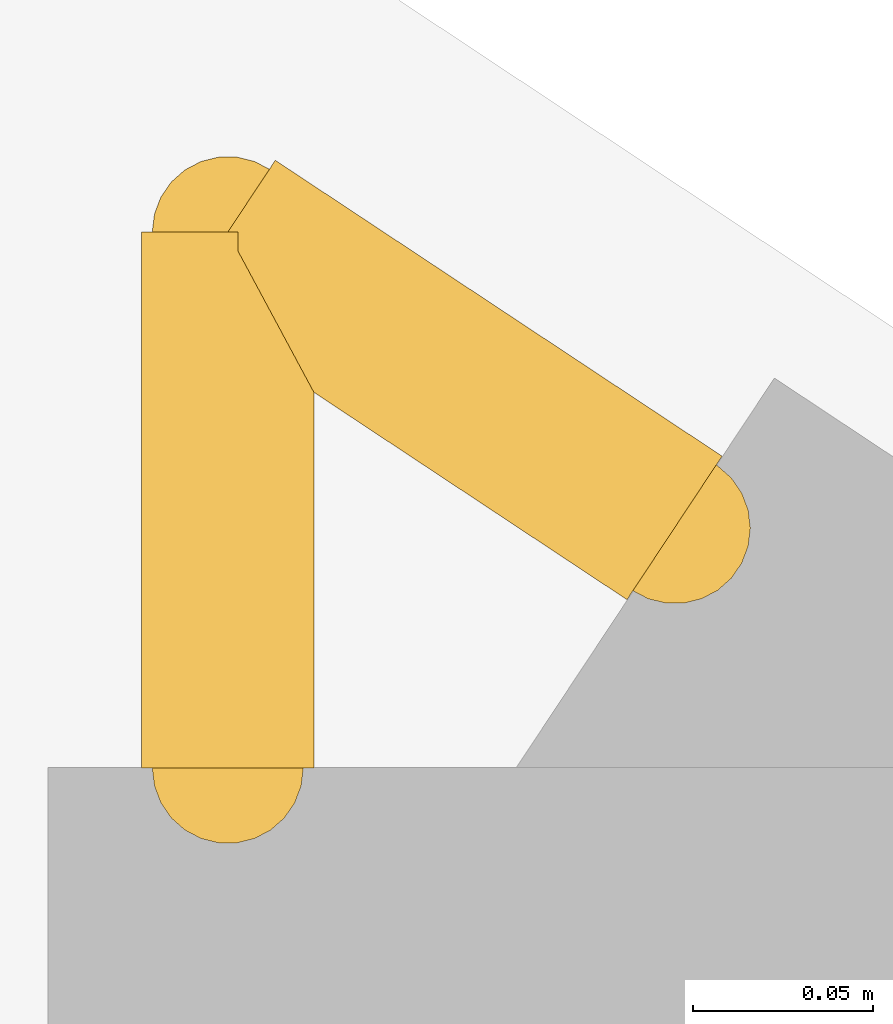
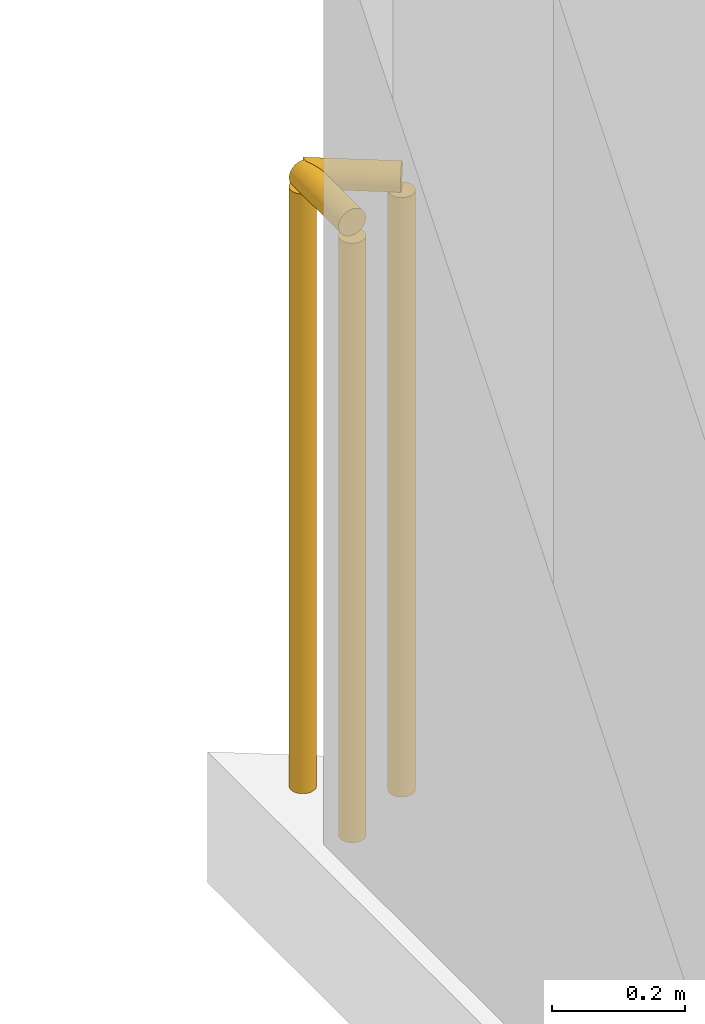
# One storey, part 17 of 18: 2 railings.
"""IFC4 building model written with IfcOpenShell, lengths in metres."""

from ifc_helpers import new_model, si_unit, direction, frame, origin, origin_2d, place, context, subcontext, project, spatial, circle, extrude, material, type_object, element, save


model = new_model("IFC4")

# Units and contexts
model_context = context("Model", 3, precision=1e-05, world=origin(), true_north=direction((0.0, 1.0)))
body_context = subcontext(model_context, "Body", "Model", "MODEL_VIEW")
ifc_project = project(units=[si_unit("LENGTHUNIT", "METRE"), si_unit("AREAUNIT", "SQUARE_METRE"), si_unit("VOLUMEUNIT", "CUBIC_METRE"), si_unit("PLANEANGLEUNIT", "RADIAN"), si_unit("MASSUNIT", "GRAM", prefix="KILO")], contexts=[model_context])

# Site, building, storey
site_placement = place(None, origin())
site = spatial("IfcSite", under=ifc_project, at=site_placement, CompositionType="ELEMENT")
building_placement = place(site_placement, origin())
building = spatial("IfcBuilding", under=site, at=building_placement, Name="Varnakote Quay Hospital", CompositionType="ELEMENT")
storey_placement = place(building_placement, frame((0.0, 0.0, 107.300048828125)))
storey = spatial("IfcBuildingStorey", under=building, at=storey_placement, Name="L26", CompositionType="ELEMENT", Elevation=107.300048828125)

# Railings
ifc_material = material(Name="Anodised aluminium 6063-T6 Bronze", Category="aluminium")
railing_type = type_object("IfcRailingType", Name="RLG-EXT-GUARD-1150", PredefinedType="GUARDRAIL", material=ifc_material)
railing_1_placement = place(storey_placement, frame((2.679931640625, 43.10205078125, 0.0)))
element("IfcRailing", 1, at=railing_1_placement, inside=storey, type_object=railing_type, Name="L26 Slab Edge Perimeter Safety Guard", PredefinedType="GUARDRAIL", context=body_context, shape_type="SweptSolid", body=[
    extrude(circle(Radius=0.02392578125, at=origin_2d()), frame((0.0, 0.0, 1.1259765625), z_axis=(0.0, 1.0, 0.0), x_axis=(-1.0, 0.0, 0.0)), (0.0, 0.0, 1.0), 0.14892578125),
    extrude(circle(Radius=0.02099609375, at=origin_2d()), origin(), (0.0, 0.0, 1.0), 1.101806640625),
    extrude(circle(Radius=0.02099609375, at=origin_2d()), frame((0.0, 0.14892578125, 0.0)), (0.0, 0.0, 1.0), 1.101806640625),
])
railing_2_placement = place(storey_placement, frame((2.679931640625, 43.2509765625, 0.0)))
element("IfcRailing", 2, at=railing_2_placement, inside=storey, type_object=railing_type, Name="L26 Slab Edge Perimeter Safety Guard", PredefinedType="GUARDRAIL", context=body_context, shape_type="SweptSolid", body=[
    extrude(circle(Radius=0.02392578125, at=origin_2d()), frame((0.0, 0.0, 1.1259765625), z_axis=(0.833810230731, -0.552051174374, 0.0), x_axis=(0.552051174374, 0.833810230731, 0.0)), (0.0, 0.0, 1.0), 0.14892578125),
    extrude(circle(Radius=0.02099609375, at=origin_2d()), origin(), (0.0, 0.0, 1.0), 1.101806640625),
    extrude(circle(Radius=0.02099609375, at=origin_2d()), frame((0.124267578125, -0.082275390625, 0.0)), (0.0, 0.0, 1.0), 1.101806640625),
])

save(model, "model.ifc")
